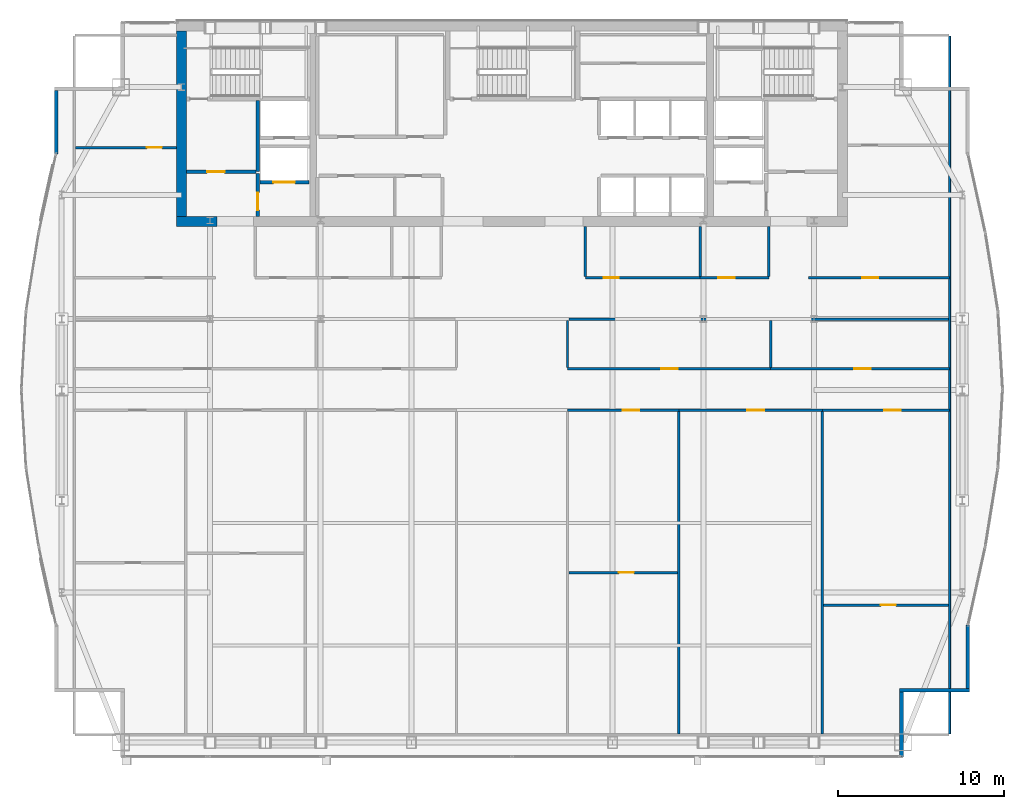
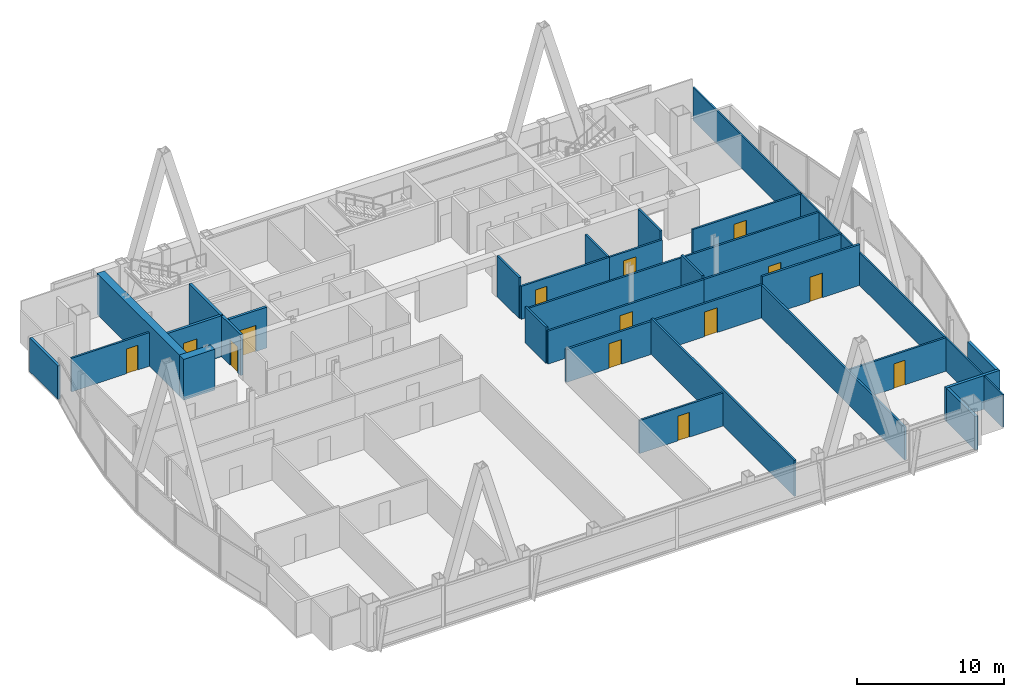
# One storey, part 27 of 31: 30 walls, 14 doors, 14 openings.
"""IFC4 building model written with IfcOpenShell, lengths in metres."""

from ifc_helpers import new_model, si_unit, direction, frame, frame_2d, origin, place, context, subcontext, project, spatial, rectangle, extrude, material, layer, layer_set, type_object, element, fill, save


model = new_model("IFC4")

# Units and contexts
model_context = context("Model", 3, precision=1e-05, world=origin(), true_north=direction((0.0, 1.0)))
body_context = subcontext(model_context, "Body", "Model", "MODEL_VIEW")
ifc_project = project(units=[si_unit("LENGTHUNIT", "METRE"), si_unit("AREAUNIT", "SQUARE_METRE"), si_unit("VOLUMEUNIT", "CUBIC_METRE"), si_unit("PLANEANGLEUNIT", "RADIAN"), si_unit("MASSUNIT", "GRAM", prefix="KILO")], contexts=[model_context])

# Site, building, storey
site_placement = place(None, origin())
site = spatial("IfcSite", under=ifc_project, at=site_placement, CompositionType="ELEMENT")
building_placement = place(site_placement, origin())
building = spatial("IfcBuilding", under=site, at=building_placement, Name="Khoronbel Lancet Exchange", CompositionType="ELEMENT")
storey_placement = place(building_placement, frame((0.0, 0.0, 261.800048828125)))
storey = spatial("IfcBuildingStorey", under=building, at=storey_placement, Name="L67", CompositionType="ELEMENT", Elevation=261.800048828125)

# Walls
ifc_material_1 = material(Name="Concrete C60/75", Category="concrete")
ifc_layer_1 = layer(ifc_material_1, 0.60009765625, Name="Concrete C60/75")
ifc_layer_set_1 = layer_set([ifc_layer_1], Name="Concrete C60/75")
wall_type_1 = type_object("IfcWallType", Name="WL-CW3", PredefinedType="SHEAR", material=ifc_layer_set_1)
wall_1_placement = place(storey_placement, frame((16.5, 41.89990234375, 0.0), z_axis=(0.0, 0.0, 1.0), x_axis=(0.0, 1.0, 0.0)))
element("IfcWall", 1, at=wall_1_placement, inside=storey, type_object=wall_type_1, Name="Level L67 rear core west shear wall", PredefinedType="SHEAR", context=body_context, shape_type="SweptSolid", body=[
    extrude(rectangle(XDim=11.2001953125, YDim=0.60009765625, at=frame_2d((5.60009765625, 0.0))), origin(), (0.0, 0.0, 1.0), 3.39990234375),
])
wall_2_placement = place(storey_placement, frame((18.64990234375, 41.60009765625, 0.0), z_axis=(0.0, 0.0, 1.0), x_axis=(-1.0, 0.0, 0.0)))
element("IfcWall", 2, at=wall_2_placement, inside=storey, type_object=wall_type_1, Name="Level L67 rear core south shear wall pier P1", PredefinedType="SHEAR", context=body_context, shape_type="SweptSolid", body=[
    extrude(rectangle(XDim=2.449951171875, YDim=0.60009765625, at=frame_2d((1.22509765625, 0.0))), origin(), (0.0, 0.0, 1.0), 3.39990234375),
])
ifc_material_2 = material(Name="Precast concrete C40/50", Category="concrete")
ifc_layer_2 = layer(ifc_material_2, 0.25, Name="Precast concrete C40/50")
ifc_layer_set_2 = layer_set([ifc_layer_2], Name="Precast concrete C40/50")
wall_type_2 = type_object("IfcWallType", Name="WL-EXT250", PredefinedType="SOLIDWALL", material=ifc_layer_set_2)
for number, where, z_axis, x_axis, name in (
    (3, (8.93994140625, 45.670166015625, 0.0), (0.0, 0.0, 1.0), (0.0, 1.0, 0.0), "Level L67 notched-corner limestone pier 10"),
    (4, (63.9599609375, 17.229736328125, 0.0), (0.0, 0.0, 1.0), (0.0, -1.0, 0.0), "Level L67 notched-corner limestone pier 23"),
):
    element("IfcWall", number, at=place(storey_placement, frame(where, z_axis=z_axis, x_axis=x_axis)), inside=storey, type_object=wall_type_2, Name=name, PredefinedType="SOLIDWALL", context=body_context, shape_type="SweptSolid", body=[
        extrude(rectangle(XDim=3.829833984375, YDim=0.219970703125, at=frame_2d((1.9150390625, 0.0))), origin(), (0.0, 0.0, 1.0), 2.7900390625),
    ])
wall_3_placement = place(storey_placement, frame((64.070068359375, 13.2900390625, 0.0), z_axis=(0.0, 0.0, 1.0), x_axis=(-1.0, 0.0, 0.0)))
element("IfcWall", 5, at=wall_3_placement, inside=storey, type_object=wall_type_2, Name="Level L67 notched-corner limestone pier 24", PredefinedType="SOLIDWALL", context=body_context, shape_type="SweptSolid", body=[
    extrude(rectangle(XDim=4.219970703125, YDim=0.219970703125, at=frame_2d((2.10986328125, 0.0))), origin(), (0.0, 0.0, 1.0), 2.7900390625),
])
wall_4_placement = place(storey_placement, frame((59.9599609375, 13.179931640625, 0.0), z_axis=(0.0, 0.0, 1.0), x_axis=(0.0, -1.0, 0.0)))
element("IfcWall", 6, at=wall_4_placement, inside=storey, type_object=wall_type_2, Name="Level L67 notched-corner limestone pier 25", PredefinedType="SOLIDWALL", context=body_context, shape_type="SweptSolid", body=[
    extrude(rectangle(XDim=3.909912109375, YDim=0.219970703125, at=frame_2d((1.955078125, 0.0))), origin(), (0.0, 0.0, 1.0), 2.7900390625),
])
ifc_material_3 = material(Name="Acoustic Metal-Stud & Mineral-Wool Gypsum Partition 120 mm", Category="gypsum")
ifc_layer_3 = layer(ifc_material_3, 0.1201171875, Name="Acoustic Metal-Stud & Mineral-Wool Gypsum Partition 120 mm")
ifc_layer_set_3 = layer_set([ifc_layer_3], Name="Acoustic Metal-Stud & Mineral-Wool Gypsum Partition 120 mm")
wall_type_3 = type_object("IfcWallType", Name="WL-PRT120", PredefinedType="PARTITIONING", material=ifc_layer_set_3)
wall_5_placement = place(storey_placement, frame((40.8798828125, 38.280029296875, 0.0), z_axis=(0.0, 0.0, 1.0), x_axis=(0.0, 1.0, 0.0)))
element("IfcWall", 7, at=wall_5_placement, inside=storey, type_object=wall_type_3, Name="Level L67 interior partition PW-NP-0", PredefinedType="PARTITIONING", context=body_context, shape_type="SweptSolid", body=[
    extrude(rectangle(XDim=3.02001953125, YDim=0.14990234375, at=frame_2d((1.510009765625, 0.0))), origin(), (0.0, 0.0, 1.0), 3.39990234375),
])
wall_6_placement = place(storey_placement, frame((47.800048828125, 38.280029296875, 0.0), z_axis=(0.0, 0.0, 1.0), x_axis=(0.0, 1.0, 0.0)))
element("IfcWall", 8, at=wall_6_placement, inside=storey, type_object=wall_type_3, Name="Level L67 interior partition PW-NP-M", PredefinedType="PARTITIONING", context=body_context, shape_type="SweptSolid", body=[
    extrude(rectangle(XDim=3.02001953125, YDim=0.14990234375, at=frame_2d((1.510009765625, 0.0))), origin(), (0.0, 0.0, 1.0), 2.739990234375),
])
wall_7_placement = place(storey_placement, frame((51.949951171875, 38.280029296875, 0.0), z_axis=(0.0, 0.0, 1.0), x_axis=(0.0, 1.0, 0.0)))
element("IfcWall", 9, at=wall_7_placement, inside=storey, type_object=wall_type_3, Name="Level L67 interior partition PW-NP-1", PredefinedType="PARTITIONING", context=body_context, shape_type="SweptSolid", body=[
    extrude(rectangle(XDim=3.02001953125, YDim=0.14990234375, at=frame_2d((1.510009765625, 0.0))), origin(), (0.0, 0.0, 1.0), 3.39990234375),
])

# Wall, opening, door
wall_8_placement = place(storey_placement, frame((10.094970703125, 46.050048828125, 0.0), z_axis=(0.0, 0.0, 1.0), x_axis=(1.0, 0.0, 0.0)))
wall_8 = element("IfcWall", 10, at=wall_8_placement, inside=storey, type_object=wall_type_3, Name="Level L67 interior partition PW-NW-H", PredefinedType="PARTITIONING", context=body_context, shape_type="SweptSolid", body=[
    extrude(rectangle(XDim=6.10498046875, YDim=0.14990234375, at=frame_2d((3.052490234375, 0.0))), origin(), (0.0, 0.0, 1.0), 2.7900390625),
])
opening_1_placement = place(wall_8_placement, frame((4.320068359375, 0.0, 0.0)))
opening_1 = element("IfcOpeningElement", 11, at=opening_1_placement, cuts=wall_8, Name="Opening D5", PredefinedType="OPENING", context=body_context, shape_type="SweptSolid", body=[
    extrude(rectangle(XDim=0.89990234375, YDim=2.050048828125, at=frame_2d((0.449951171875, 1.02490234375))), frame((0.0, 0.0849609375, 0.0), z_axis=(0.0, -1.0, 0.0), x_axis=(1.0, 0.0, 0.0)), (0.0, 0.0, 1.0), 0.169921875),
])
ifc_material_4 = material(Name="Acoustic Timber Pantry & Support Door", Category="wood")
door_type_1 = type_object("IfcDoorType", Name="DR-D5", OperationType="NOTDEFINED", PredefinedType="DOOR", material=ifc_material_4)
door_1_placement = place(opening_1_placement, origin())
door_1 = element("IfcDoor", 12, at=door_1_placement, inside=storey, type_object=door_type_1, Name="NW north room door L67-1", OperationType="SINGLE_SWING_LEFT", OverallHeight=2.050048828125, OverallWidth=0.89990234375, PredefinedType="DOOR", context=body_context, shape_type="SweptSolid", body=[
    extrude(rectangle(XDim=0.89990234375, YDim=2.050048828125, at=frame_2d((0.449951171875, 1.02490234375))), frame((0.0, 0.02490234375, 0.0), z_axis=(0.0, -1.0, 0.0), x_axis=(1.0, 0.0, 0.0)), (0.0, 0.0, 1.0), 0.050048828125),
])
fill(opening_1, door_1)

wall_9_placement = place(storey_placement, frame((39.8798828125, 20.39990234375, 0.0), z_axis=(0.0, 0.0, 1.0), x_axis=(1.0, 0.0, 0.0)))
wall_9 = element("IfcWall", 13, at=wall_9_placement, inside=storey, type_object=wall_type_3, Name="Level L67 interior partition PW-Z3SE-H1", PredefinedType="PARTITIONING", context=body_context, shape_type="SweptSolid", body=[
    extrude(rectangle(XDim=6.56884765625, YDim=0.14990234375, at=frame_2d((3.284423828125, 0.0))), origin(), (0.0, 0.0, 1.0), 2.739990234375),
])
opening_2_placement = place(wall_9_placement, frame((3.02783203125, 0.0, 0.0)))
opening_2 = element("IfcOpeningElement", 14, at=opening_2_placement, cuts=wall_9, Name="Opening D5", PredefinedType="OPENING", context=body_context, shape_type="SweptSolid", body=[
    extrude(rectangle(XDim=0.89990234375, YDim=2.050048828125, at=frame_2d((0.449951171875, 1.02490234375))), frame((0.0, 0.0849609375, 0.0), z_axis=(0.0, -1.0, 0.0), x_axis=(1.0, 0.0, 0.0)), (0.0, 0.0, 1.0), 0.169921875),
])
door_2_placement = place(opening_2_placement, origin())
door_2 = element("IfcDoor", 15, at=door_2_placement, inside=storey, type_object=door_type_1, Name="Z3SE inner door 1 L67-1", OperationType="SINGLE_SWING_LEFT", OverallHeight=2.050048828125, OverallWidth=0.89990234375, PredefinedType="DOOR", context=body_context, shape_type="SweptSolid", body=[
    extrude(rectangle(XDim=0.89990234375, YDim=2.050048828125, at=frame_2d((0.449951171875, 1.02490234375))), frame((0.0, 0.02490234375, 0.0), z_axis=(0.0, -1.0, 0.0), x_axis=(1.0, 0.0, 0.0)), (0.0, 0.0, 1.0), 0.050048828125),
])
fill(opening_2, door_2)

wall_10_placement = place(storey_placement, frame((55.260009765625, 18.43994140625, 0.0), z_axis=(0.0, 0.0, 1.0), x_axis=(1.0, 0.0, 0.0)))
wall_10 = element("IfcWall", 16, at=wall_10_placement, inside=storey, type_object=wall_type_3, Name="Level L67 interior partition PW-Z3SE-H3", PredefinedType="PARTITIONING", context=body_context, shape_type="SweptSolid", body=[
    extrude(rectangle(XDim=7.544921875, YDim=0.14990234375, at=frame_2d((3.7724609375, 0.0))), origin(), (0.0, 0.0, 1.0), 2.7900390625),
])
opening_3_placement = place(wall_10_placement, frame((3.46044921875, 0.0, 0.0)))
opening_3 = element("IfcOpeningElement", 17, at=opening_3_placement, cuts=wall_10, Name="Opening D5", PredefinedType="OPENING", context=body_context, shape_type="SweptSolid", body=[
    extrude(rectangle(XDim=0.89990234375, YDim=2.050048828125, at=frame_2d((0.449951171875, 1.02490234375))), frame((0.0, 0.0849609375, 0.0), z_axis=(0.0, -1.0, 0.0), x_axis=(1.0, 0.0, 0.0)), (0.0, 0.0, 1.0), 0.169921875),
])
door_3_placement = place(opening_3_placement, origin())
door_3 = element("IfcDoor", 18, at=door_3_placement, inside=storey, type_object=door_type_1, Name="Z3SE inner door 3 L67-1", OperationType="SINGLE_SWING_RIGHT", OverallHeight=2.050048828125, OverallWidth=0.89990234375, PredefinedType="DOOR", context=body_context, shape_type="SweptSolid", body=[
    extrude(rectangle(XDim=0.89990234375, YDim=2.050048828125, at=frame_2d((0.449951171875, 1.02490234375))), frame((0.0, 0.02490234375, 0.0), z_axis=(0.0, -1.0, 0.0), x_axis=(1.0, 0.0, 0.0)), (0.0, 0.0, 1.0), 0.050048828125),
])
fill(opening_3, door_3)

# Wall
wall_11_placement = place(storey_placement, frame((62.8701171875, 10.6650390625, 0.0), z_axis=(0.0, 0.0, 1.0), x_axis=(0.0, 1.0, 0.0)))
element("IfcWall", 19, at=wall_11_placement, inside=storey, type_object=wall_type_3, Name="Level L67 interior partition PW-LIN-E", PredefinedType="PARTITIONING", context=body_context, shape_type="SweptSolid", body=[
    extrude(rectangle(XDim=42.10986328125, YDim=0.1201171875, at=frame_2d((21.054931640625, 0.0))), origin(), (0.0, 0.0, 1.0), 2.739990234375),
])

# Wall, opening, door
ifc_material_5 = material(Name="Fire-Rated Twin-Stud Acoustic Gypsum Partition 150 mm", Category="gypsum")
ifc_layer_4 = layer(ifc_material_5, 0.14990234375, Name="Fire-Rated Twin-Stud Acoustic Gypsum Partition 150 mm")
ifc_layer_set_4 = layer_set([ifc_layer_4], Name="Fire-Rated Twin-Stud Acoustic Gypsum Partition 150 mm")
wall_type_4 = type_object("IfcWallType", Name="WL-PRT150C", PredefinedType="PARTITIONING", material=ifc_layer_set_4)
wall_12_placement = place(storey_placement, frame((40.8798828125, 38.199951171875, 0.0), z_axis=(0.0, 0.0, 1.0), x_axis=(1.0, 0.0, 0.0)))
wall_12 = element("IfcWall", 20, at=wall_12_placement, inside=storey, type_object=wall_type_4, Name="Level L67 interior partition PW-NP-S1", PredefinedType="PARTITIONING", context=body_context, shape_type="SweptSolid", body=[
    extrude(rectangle(XDim=6.920166015625, YDim=0.14990234375, at=frame_2d((3.4599609375, 0.0))), origin(), (0.0, 0.0, 1.0), 2.739990234375),
])
opening_4_placement = place(wall_12_placement, frame((1.10009765625, 0.0, 0.0)))
opening_4 = element("IfcOpeningElement", 21, at=opening_4_placement, cuts=wall_12, Name="Opening D5", PredefinedType="OPENING", context=body_context, shape_type="SweptSolid", body=[
    extrude(rectangle(XDim=0.89990234375, YDim=2.050048828125, at=frame_2d((0.449951171875, 1.02490234375))), frame((0.0, 0.0849609375, 0.0), z_axis=(0.0, -1.0, 0.0), x_axis=(1.0, 0.0, 0.0)), (0.0, 0.0, 1.0), 0.169921875),
])
door_4_placement = place(opening_4_placement, origin())
door_4 = element("IfcDoor", 22, at=door_4_placement, inside=storey, type_object=door_type_1, Name="Floor refreshment pantry door L67-1", OperationType="SINGLE_SWING_LEFT", OverallHeight=2.050048828125, OverallWidth=0.89990234375, PredefinedType="DOOR", context=body_context, shape_type="SweptSolid", body=[
    extrude(rectangle(XDim=0.89990234375, YDim=2.050048828125, at=frame_2d((0.449951171875, 1.02490234375))), frame((0.0, 0.02490234375, 0.0), z_axis=(0.0, -1.0, 0.0), x_axis=(1.0, 0.0, 0.0)), (0.0, 0.0, 1.0), 0.050048828125),
])
fill(opening_4, door_4)

wall_13_placement = place(storey_placement, frame((47.800048828125, 38.199951171875, 0.0), z_axis=(0.0, 0.0, 1.0), x_axis=(1.0, 0.0, 0.0)))
wall_13 = element("IfcWall", 23, at=wall_13_placement, inside=storey, type_object=wall_type_4, Name="Level L67 interior partition PW-NP-S2", PredefinedType="PARTITIONING", context=body_context, shape_type="SweptSolid", body=[
    extrude(rectangle(XDim=4.14990234375, YDim=0.14990234375, at=frame_2d((2.074951171875, 0.0))), origin(), (0.0, 0.0, 1.0), 2.739990234375),
])
opening_5_placement = place(wall_13_placement, frame((1.10009765625, 0.0, 0.0)))
opening_5 = element("IfcOpeningElement", 24, at=opening_5_placement, cuts=wall_13, Name="Opening D2", PredefinedType="OPENING", context=body_context, shape_type="SweptSolid", body=[
    extrude(rectangle(XDim=1.0, YDim=2.050048828125, at=frame_2d((0.5, 1.02490234375))), frame((0.0, 0.0849609375, 0.0), z_axis=(0.0, -1.0, 0.0), x_axis=(1.0, 0.0, 0.0)), (0.0, 0.0, 1.0), 0.169921875),
])
ifc_material_6 = material(Name="Acoustic Veneered Timber & Bronze Frame Door", Category="wood")
door_type_2 = type_object("IfcDoorType", Name="DR-D2", OperationType="NOTDEFINED", PredefinedType="DOOR", material=ifc_material_6)
door_5_placement = place(opening_5_placement, origin())
door_5 = element("IfcDoor", 25, at=door_5_placement, inside=storey, type_object=door_type_2, Name="Floor store door L67-1", OperationType="SINGLE_SWING_RIGHT", OverallHeight=2.050048828125, OverallWidth=1.0, PredefinedType="DOOR", context=body_context, shape_type="SweptSolid", body=[
    extrude(rectangle(XDim=1.0, YDim=2.050048828125, at=frame_2d((0.5, 1.02490234375))), frame((0.0, 0.02490234375, 0.0), z_axis=(0.0, -1.0, 0.0), x_axis=(1.0, 0.0, 0.0)), (0.0, 0.0, 1.0), 0.050048828125),
])
fill(opening_5, door_5)

wall_14_placement = place(storey_placement, frame((54.35009765625, 38.199951171875, 0.0), z_axis=(0.0, 0.0, 1.0), x_axis=(1.0, 0.0, 0.0)))
wall_14 = element("IfcWall", 26, at=wall_14_placement, inside=storey, type_object=wall_type_4, Name="Level L67 interior partition PW-NE-S", PredefinedType="PARTITIONING", context=body_context, shape_type="SweptSolid", body=[
    extrude(rectangle(XDim=8.52001953125, YDim=0.14990234375, at=frame_2d((4.260009765625, 0.0))), origin(), (0.0, 0.0, 1.0), 2.739990234375),
])
opening_6_placement = place(wall_14_placement, frame((3.25, 0.0, 0.0)))
opening_6 = element("IfcOpeningElement", 27, at=opening_6_placement, cuts=wall_14, Name="Opening D1", PredefinedType="OPENING", context=body_context, shape_type="SweptSolid", body=[
    extrude(rectangle(XDim=0.949951171875, YDim=2.050048828125, at=frame_2d((0.47509765625, 1.02490234375))), frame((0.0, 0.0849609375, 0.0), z_axis=(0.0, -1.0, 0.0), x_axis=(1.0, 0.0, 0.0)), (0.0, 0.0, 1.0), 0.169921875),
])
door_type_3 = type_object("IfcDoorType", Name="DR-D1", OperationType="NOTDEFINED", PredefinedType="DOOR", material=ifc_material_6)
door_6_placement = place(opening_6_placement, origin())
door_6 = element("IfcDoor", 28, at=door_6_placement, inside=storey, type_object=door_type_3, Name="NE corner room door L67-1", OperationType="SINGLE_SWING_RIGHT", OverallHeight=2.050048828125, OverallWidth=0.949951171875, PredefinedType="DOOR", context=body_context, shape_type="SweptSolid", body=[
    extrude(rectangle(XDim=0.949951171875, YDim=2.050048828125, at=frame_2d((0.47509765625, 1.02490234375))), frame((0.0, 0.02490234375, 0.0), z_axis=(0.0, -1.0, 0.0), x_axis=(1.0, 0.0, 0.0)), (0.0, 0.0, 1.0), 0.050048828125),
])
fill(opening_6, door_6)

# Walls
wall_15_placement = place(storey_placement, frame((39.800048828125, 32.784912109375, 0.0), z_axis=(0.0, 0.0, 1.0), x_axis=(0.0, 1.0, 0.0)))
element("IfcWall", 29, at=wall_15_placement, inside=storey, type_object=wall_type_4, Name="Level L67 interior partition PW-Z3-CE2", PredefinedType="PARTITIONING", context=body_context, shape_type="SweptSolid", body=[
    extrude(rectangle(XDim=2.835205078125, YDim=0.14990234375, at=frame_2d((1.41748046875, 0.0))), origin(), (0.0, 0.0, 1.0), 2.989990234375),
])
wall_16_placement = place(storey_placement, frame((39.8798828125, 35.699951171875, 0.0), z_axis=(0.0, 0.0, 1.0), x_axis=(1.0, 0.0, 0.0)))
element("IfcWall", 30, at=wall_16_placement, inside=storey, type_object=wall_type_4, Name="Level L67 interior partition PW-Z3-EN", PredefinedType="PARTITIONING", context=body_context, shape_type="SweptSolid", body=[
    extrude(rectangle(XDim=22.925048828125, YDim=0.14990234375, at=frame_2d((11.46240234375, 0.0))), origin(), (0.0, 0.0, 1.0), 2.739990234375),
])
wall_17_placement = place(storey_placement, frame((46.52880859375, 10.6650390625, 0.0), z_axis=(0.0, 0.0, 1.0), x_axis=(0.0, 1.0, 0.0)))
element("IfcWall", 31, at=wall_17_placement, inside=storey, type_object=wall_type_4, Name="Level L67 interior partition PW-Z3SE-V1", PredefinedType="PARTITIONING", context=body_context, shape_type="SweptSolid", body=[
    extrude(rectangle(XDim=19.449951171875, YDim=0.14990234375, at=frame_2d((9.72509765625, 0.0))), origin(), (0.0, 0.0, 1.0), 2.989990234375),
])
wall_18_placement = place(storey_placement, frame((55.179931640625, 10.6650390625, 0.0), z_axis=(0.0, 0.0, 1.0), x_axis=(0.0, 1.0, 0.0)))
element("IfcWall", 32, at=wall_18_placement, inside=storey, type_object=wall_type_4, Name="Level L67 interior partition PW-Z3SE-V2", PredefinedType="PARTITIONING", context=body_context, shape_type="SweptSolid", body=[
    extrude(rectangle(XDim=19.449951171875, YDim=0.14990234375, at=frame_2d((9.72509765625, 0.0))), origin(), (0.0, 0.0, 1.0), 2.739990234375),
])
wall_19_placement = place(storey_placement, frame((52.055908203125, 32.784912109375, 0.0), z_axis=(0.0, 0.0, 1.0), x_axis=(0.0, 1.0, 0.0)))
element("IfcWall", 33, at=wall_19_placement, inside=storey, type_object=wall_type_4, Name="Level L67 interior partition PW-Z3NE-V1", PredefinedType="PARTITIONING", context=body_context, shape_type="SweptSolid", body=[
    extrude(rectangle(XDim=2.835205078125, YDim=0.14990234375, at=frame_2d((1.41748046875, 0.0))), origin(), (0.0, 0.0, 1.0), 2.989990234375),
])

# Wall, opening, door
ifc_material_7 = material(Name="Fire-Rated Twin-Stud Acoustic Gypsum Partition 160 mm", Category="gypsum")
ifc_layer_5 = layer(ifc_material_7, 0.159912109375, Name="Fire-Rated Twin-Stud Acoustic Gypsum Partition 160 mm")
ifc_layer_set_5 = layer_set([ifc_layer_5], Name="Fire-Rated Twin-Stud Acoustic Gypsum Partition 160 mm")
wall_type_5 = type_object("IfcWallType", Name="WL-PRT160C", PredefinedType="PARTITIONING", material=ifc_layer_set_5)
wall_20_placement = place(storey_placement, frame((39.800048828125, 30.199951171875, 0.0), z_axis=(0.0, 0.0, 1.0), x_axis=(1.0, 0.0, 0.0)))
wall_20 = element("IfcWall", 34, at=wall_20_placement, inside=storey, type_object=wall_type_5, Name="Level L67 interior partition PW-Z3SE-COR1", PredefinedType="PARTITIONING", context=body_context, shape_type="SweptSolid", body=[
    extrude(rectangle(XDim=6.728759765625, YDim=0.159912109375, at=frame_2d((3.3642578125, 0.0))), origin(), (0.0, 0.0, 1.0), 2.739990234375),
])
opening_7_placement = place(wall_20_placement, frame((3.326171875, 0.0, 0.0)))
opening_7 = element("IfcOpeningElement", 35, at=opening_7_placement, cuts=wall_20, Name="Opening D2", PredefinedType="OPENING", context=body_context, shape_type="SweptSolid", body=[
    extrude(rectangle(XDim=1.0, YDim=2.050048828125, at=frame_2d((0.5, 1.02490234375))), frame((0.0, 0.08984375, 0.0), z_axis=(0.0, -1.0, 0.0), x_axis=(1.0, 0.0, 0.0)), (0.0, 0.0, 1.0), 0.179931640625),
])
door_7_placement = place(opening_7_placement, origin())
door_7 = element("IfcDoor", 36, at=door_7_placement, inside=storey, type_object=door_type_2, Name="Z3SE bay 1 door L67-1", OperationType="SINGLE_SWING_RIGHT", OverallHeight=2.050048828125, OverallWidth=1.0, PredefinedType="DOOR", context=body_context, shape_type="SweptSolid", body=[
    extrude(rectangle(XDim=1.0, YDim=2.050048828125, at=frame_2d((0.5, 1.02490234375))), frame((0.0, 0.02490234375, 0.0), z_axis=(0.0, -1.0, 0.0), x_axis=(1.0, 0.0, 0.0)), (0.0, 0.0, 1.0), 0.050048828125),
])
fill(opening_7, door_7)

wall_21_placement = place(storey_placement, frame((46.52880859375, 30.199951171875, 0.0), z_axis=(0.0, 0.0, 1.0), x_axis=(1.0, 0.0, 0.0)))
wall_21 = element("IfcWall", 37, at=wall_21_placement, inside=storey, type_object=wall_type_5, Name="Level L67 interior partition PW-Z3SE-COR2", PredefinedType="PARTITIONING", context=body_context, shape_type="SweptSolid", body=[
    extrude(rectangle(XDim=8.651123046875, YDim=0.159912109375, at=frame_2d((4.32568359375, 0.0))), origin(), (0.0, 0.0, 1.0), 2.739990234375),
])
opening_8_placement = place(wall_21_placement, frame((4.133544921875, 0.0, 0.0)))
opening_8 = element("IfcOpeningElement", 38, at=opening_8_placement, cuts=wall_21, Name="Opening D2", PredefinedType="OPENING", context=body_context, shape_type="SweptSolid", body=[
    extrude(rectangle(XDim=1.0, YDim=2.050048828125, at=frame_2d((0.5, 1.02490234375))), frame((0.0, 0.08984375, 0.0), z_axis=(0.0, -1.0, 0.0), x_axis=(1.0, 0.0, 0.0)), (0.0, 0.0, 1.0), 0.179931640625),
])
door_8_placement = place(opening_8_placement, origin())
door_8 = element("IfcDoor", 39, at=door_8_placement, inside=storey, type_object=door_type_2, Name="Z3SE bay 2 door L67-1", OperationType="SINGLE_SWING_RIGHT", OverallHeight=2.050048828125, OverallWidth=1.0, PredefinedType="DOOR", context=body_context, shape_type="SweptSolid", body=[
    extrude(rectangle(XDim=1.0, YDim=2.050048828125, at=frame_2d((0.5, 1.02490234375))), frame((0.0, 0.02490234375, 0.0), z_axis=(0.0, -1.0, 0.0), x_axis=(1.0, 0.0, 0.0)), (0.0, 0.0, 1.0), 0.050048828125),
])
fill(opening_8, door_8)

wall_22_placement = place(storey_placement, frame((55.179931640625, 30.199951171875, 0.0), z_axis=(0.0, 0.0, 1.0), x_axis=(1.0, 0.0, 0.0)))
wall_22 = element("IfcWall", 40, at=wall_22_placement, inside=storey, type_object=wall_type_5, Name="Level L67 interior partition PW-Z3SE-COR3", PredefinedType="PARTITIONING", context=body_context, shape_type="SweptSolid", body=[
    extrude(rectangle(XDim=7.690185546875, YDim=0.159912109375, at=frame_2d((3.84521484375, 0.0))), origin(), (0.0, 0.0, 1.0), 3.39990234375),
])
opening_9_placement = place(wall_22_placement, frame((3.729736328125, 0.0, 0.0)))
opening_9 = element("IfcOpeningElement", 41, at=opening_9_placement, cuts=wall_22, Name="Opening D2", PredefinedType="OPENING", context=body_context, shape_type="SweptSolid", body=[
    extrude(rectangle(XDim=1.0, YDim=2.050048828125, at=frame_2d((0.5, 1.02490234375))), frame((0.0, 0.08984375, 0.0), z_axis=(0.0, -1.0, 0.0), x_axis=(1.0, 0.0, 0.0)), (0.0, 0.0, 1.0), 0.179931640625),
])
door_9_placement = place(opening_9_placement, origin())
door_9 = element("IfcDoor", 42, at=door_9_placement, inside=storey, type_object=door_type_2, Name="Z3SE bay 3 door L67-1", OperationType="SINGLE_SWING_LEFT", OverallHeight=2.050048828125, OverallWidth=1.0, PredefinedType="DOOR", context=body_context, shape_type="SweptSolid", body=[
    extrude(rectangle(XDim=1.0, YDim=2.050048828125, at=frame_2d((0.5, 1.02490234375))), frame((0.0, 0.02490234375, 0.0), z_axis=(0.0, -1.0, 0.0), x_axis=(1.0, 0.0, 0.0)), (0.0, 0.0, 1.0), 0.050048828125),
])
fill(opening_9, door_9)

wall_23_placement = place(storey_placement, frame((39.800048828125, 32.699951171875, 0.0), z_axis=(0.0, 0.0, 1.0), x_axis=(1.0, 0.0, 0.0)))
wall_23 = element("IfcWall", 43, at=wall_23_placement, inside=storey, type_object=wall_type_5, Name="Level L67 interior partition PW-Z3NE-COR1", PredefinedType="PARTITIONING", context=body_context, shape_type="SweptSolid", body=[
    extrude(rectangle(XDim=12.255859375, YDim=0.159912109375, at=frame_2d((6.1279296875, 0.0))), origin(), (0.0, 0.0, 1.0), 2.739990234375),
])
opening_10_placement = place(wall_23_placement, frame((5.6474609375, 0.0, 0.0)))
opening_10 = element("IfcOpeningElement", 44, at=opening_10_placement, cuts=wall_23, Name="Opening D2", PredefinedType="OPENING", context=body_context, shape_type="SweptSolid", body=[
    extrude(rectangle(XDim=1.0, YDim=2.050048828125, at=frame_2d((0.5, 1.02490234375))), frame((0.0, 0.08984375, 0.0), z_axis=(0.0, -1.0, 0.0), x_axis=(1.0, 0.0, 0.0)), (0.0, 0.0, 1.0), 0.179931640625),
])
door_10_placement = place(opening_10_placement, origin())
door_10 = element("IfcDoor", 45, at=door_10_placement, inside=storey, type_object=door_type_2, Name="Z3NE bay 1 door L67-1", OperationType="SINGLE_SWING_RIGHT", OverallHeight=2.050048828125, OverallWidth=1.0, PredefinedType="DOOR", context=body_context, shape_type="SweptSolid", body=[
    extrude(rectangle(XDim=1.0, YDim=2.050048828125, at=frame_2d((0.5, 1.02490234375))), frame((0.0, 0.02490234375, 0.0), z_axis=(0.0, -1.0, 0.0), x_axis=(1.0, 0.0, 0.0)), (0.0, 0.0, 1.0), 0.050048828125),
])
fill(opening_10, door_10)

wall_24_placement = place(storey_placement, frame((52.055908203125, 32.699951171875, 0.0), z_axis=(0.0, 0.0, 1.0), x_axis=(1.0, 0.0, 0.0)))
wall_24 = element("IfcWall", 46, at=wall_24_placement, inside=storey, type_object=wall_type_5, Name="Level L67 interior partition PW-Z3NE-COR2", PredefinedType="PARTITIONING", context=body_context, shape_type="SweptSolid", body=[
    extrude(rectangle(XDim=10.814208984375, YDim=0.159912109375, at=frame_2d((5.4072265625, 0.0))), origin(), (0.0, 0.0, 1.0), 2.739990234375),
])
opening_11_placement = place(wall_24_placement, frame((5.0419921875, 0.0, 0.0)))
opening_11 = element("IfcOpeningElement", 47, at=opening_11_placement, cuts=wall_24, Name="Opening D2", PredefinedType="OPENING", context=body_context, shape_type="SweptSolid", body=[
    extrude(rectangle(XDim=1.0, YDim=2.050048828125, at=frame_2d((0.5, 1.02490234375))), frame((0.0, 0.08984375, 0.0), z_axis=(0.0, -1.0, 0.0), x_axis=(1.0, 0.0, 0.0)), (0.0, 0.0, 1.0), 0.179931640625),
])
door_11_placement = place(opening_11_placement, origin())
door_11 = element("IfcDoor", 48, at=door_11_placement, inside=storey, type_object=door_type_2, Name="Z3NE bay 2 door L67-1", OperationType="SINGLE_SWING_LEFT", OverallHeight=2.050048828125, OverallWidth=1.0, PredefinedType="DOOR", context=body_context, shape_type="SweptSolid", body=[
    extrude(rectangle(XDim=1.0, YDim=2.050048828125, at=frame_2d((0.5, 1.02490234375))), frame((0.0, 0.02490234375, 0.0), z_axis=(0.0, -1.0, 0.0), x_axis=(1.0, 0.0, 0.0)), (0.0, 0.0, 1.0), 0.050048828125),
])
fill(opening_11, door_11)

ifc_material_8 = material(Name="Autoclaved Aerated Concrete Blockwork 200 mm", Category="masonry")
ifc_layer_6 = layer(ifc_material_8, 0.199951171875, Name="Autoclaved Aerated Concrete Blockwork 200 mm")
ifc_layer_set_6 = layer_set([ifc_layer_6], Name="Autoclaved Aerated Concrete Blockwork 200 mm")
wall_type_6 = type_object("IfcWallType", Name="WL-PRT200", PredefinedType="PARTITIONING", material=ifc_layer_set_6)
wall_25_placement = place(storey_placement, frame((24.2099609375, 43.949951171875, 0.0), z_axis=(0.0, 0.0, 1.0), x_axis=(-1.0, 0.0, 0.0)))
wall_25 = element("IfcWall", 49, at=wall_25_placement, inside=storey, type_object=wall_type_6, Name="Level L67 elevator hoistway landing front wall SVLW", PredefinedType="PARTITIONING", context=body_context, shape_type="SweptSolid", body=[
    extrude(rectangle(XDim=2.969970703125, YDim=0.199951171875, at=frame_2d((1.48486328125, 0.0))), origin(), (0.0, 0.0, 1.0), 3.39990234375),
])
opening_12_placement = place(wall_25_placement, frame((0.860107421875, 0.0, 0.0)))
opening_12 = element("IfcOpeningElement", 50, at=opening_12_placement, cuts=wall_25, Name="Opening LD-SVL1", PredefinedType="OPENING", context=body_context, shape_type="SweptSolid", body=[
    extrude(rectangle(XDim=1.300048828125, YDim=2.179931640625, at=frame_2d((0.64990234375, 1.08984375))), frame((0.0, 0.10986328125, 0.0), z_axis=(0.0, -1.0, 0.0), x_axis=(1.0, 0.0, 0.0)), (0.0, 0.0, 1.0), 0.219970703125),
])
ifc_material_9 = material(Name="Heavy-Duty Bi-Parting Goods Lift Landing Door", Category="steel")
door_type_4 = type_object("IfcDoorType", Name="DR-LD-SVL", OperationType="NOTDEFINED", PredefinedType="DOOR", material=ifc_material_9)
door_12_placement = place(opening_12_placement, origin())
door_12 = element("IfcDoor", 51, at=door_12_placement, inside=storey, type_object=door_type_4, Name="Elevator landing sliding door LD-SVL1 L67", OperationType="SLIDING_TO_LEFT", OverallHeight=2.179931640625, OverallWidth=1.300048828125, PredefinedType="DOOR", context=body_context, shape_type="SweptSolid", body=[
    extrude(rectangle(XDim=1.300048828125, YDim=2.179931640625, at=frame_2d((0.64990234375, 1.08984375))), frame((0.0, 0.02490234375, 0.0), z_axis=(0.0, -1.0, 0.0), x_axis=(1.0, 0.0, 0.0)), (0.0, 0.0, 1.0), 0.050048828125),
])
fill(opening_12, door_12)

# Wall
wall_26_placement = place(storey_placement, frame((21.10009765625, 44.60009765625, 0.0), z_axis=(0.0, 0.0, 1.0), x_axis=(0.0, 1.0, 0.0)))
element("IfcWall", 52, at=wall_26_placement, inside=storey, type_object=wall_type_6, Name="Level L67 interior partition CW-FFLW-E", PredefinedType="PARTITIONING", context=body_context, shape_type="SweptSolid", body=[
    extrude(rectangle(XDim=4.2998046875, YDim=0.199951171875, at=frame_2d((2.14990234375, 0.0))), origin(), (0.0, 0.0, 1.0), 3.39990234375),
])

# Wall, opening, door
wall_27_placement = place(storey_placement, frame((16.800048828125, 44.60009765625, 0.0), z_axis=(0.0, 0.0, 1.0), x_axis=(1.0, 0.0, 0.0)))
wall_27 = element("IfcWall", 53, at=wall_27_placement, inside=storey, type_object=wall_type_6, Name="Level L67 interior partition CW-FFLW-S", PredefinedType="PARTITIONING", context=body_context, shape_type="SweptSolid", body=[
    extrude(rectangle(XDim=4.199951171875, YDim=0.199951171875, at=frame_2d((2.10009765625, 0.0))), origin(), (0.0, 0.0, 1.0), 3.39990234375),
])
opening_13_placement = place(wall_27_placement, frame((1.25, 0.0, 0.0)))
opening_13 = element("IfcOpeningElement", 54, at=opening_13_placement, cuts=wall_27, Name="Opening FD1", PredefinedType="OPENING", context=body_context, shape_type="SweptSolid", body=[
    extrude(rectangle(XDim=1.050048828125, YDim=2.14990234375, at=frame_2d((0.52490234375, 1.074951171875))), frame((0.0, 0.10986328125, 0.0), z_axis=(0.0, -1.0, 0.0), x_axis=(1.0, 0.0, 0.0)), (0.0, 0.0, 1.0), 0.219970703125),
])
ifc_material_10 = material(Name="Fire-Rated Painted Steel Door Assembly", Category="steel")
door_type_5 = type_object("IfcDoorType", Name="DR-FD1", OperationType="NOTDEFINED", PredefinedType="DOOR", material=ifc_material_10)
door_13_placement = place(opening_13_placement, origin())
door_13 = element("IfcDoor", 55, at=door_13_placement, inside=storey, type_object=door_type_5, Name="West firefighting lobby FD90S door L67-1", OperationType="SINGLE_SWING_RIGHT", OverallHeight=2.14990234375, OverallWidth=1.050048828125, PredefinedType="DOOR", context=body_context, shape_type="SweptSolid", body=[
    extrude(rectangle(XDim=1.050048828125, YDim=2.14990234375, at=frame_2d((0.52490234375, 1.074951171875))), frame((0.0, 0.02490234375, 0.0), z_axis=(0.0, -1.0, 0.0), x_axis=(1.0, 0.0, 0.0)), (0.0, 0.0, 1.0), 0.050048828125),
])
fill(opening_13, door_13)

wall_28_placement = place(storey_placement, frame((21.10009765625, 41.89990234375, 0.0), z_axis=(0.0, 0.0, 1.0), x_axis=(0.0, 1.0, 0.0)))
wall_28 = element("IfcWall", 56, at=wall_28_placement, inside=storey, type_object=wall_type_6, Name="Level L67 interior partition CW-SVLW-W", PredefinedType="PARTITIONING", context=body_context, shape_type="SweptSolid", body=[
    extrude(rectangle(XDim=2.59521484375, YDim=0.199951171875, at=frame_2d((1.297607421875, 0.0))), origin(), (0.0, 0.0, 1.0), 3.39990234375),
])
opening_14_placement = place(wall_28_placement, frame((0.3798828125, 0.0, 0.0)))
opening_14 = element("IfcOpeningElement", 57, at=opening_14_placement, cuts=wall_28, Name="Opening FD1", PredefinedType="OPENING", context=body_context, shape_type="SweptSolid", body=[
    extrude(rectangle(XDim=1.050048828125, YDim=2.14990234375, at=frame_2d((0.52490234375, 1.074951171875))), frame((0.0, 0.10986328125, 0.0), z_axis=(0.0, -1.0, 0.0), x_axis=(1.0, 0.0, 0.0)), (0.0, 0.0, 1.0), 0.219970703125),
])
door_14_placement = place(opening_14_placement, origin())
door_14 = element("IfcDoor", 58, at=door_14_placement, inside=storey, type_object=door_type_5, Name="West service lift lobby door L67-1", OperationType="SINGLE_SWING_LEFT", OverallHeight=2.14990234375, OverallWidth=1.050048828125, PredefinedType="DOOR", context=body_context, shape_type="SweptSolid", body=[
    extrude(rectangle(XDim=1.050048828125, YDim=2.14990234375, at=frame_2d((0.52490234375, 1.074951171875))), frame((0.0, 0.02490234375, 0.0), z_axis=(0.0, -1.0, 0.0), x_axis=(1.0, 0.0, 0.0)), (0.0, 0.0, 1.0), 0.050048828125),
])
fill(opening_14, door_14)

save(model, "model.ifc")
